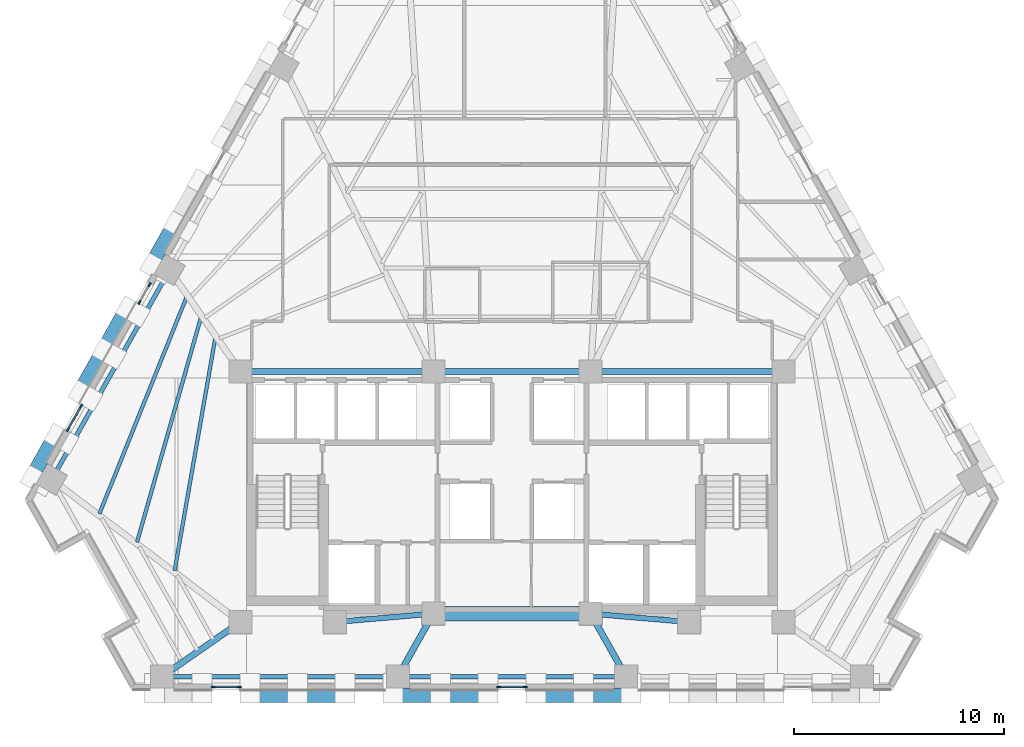
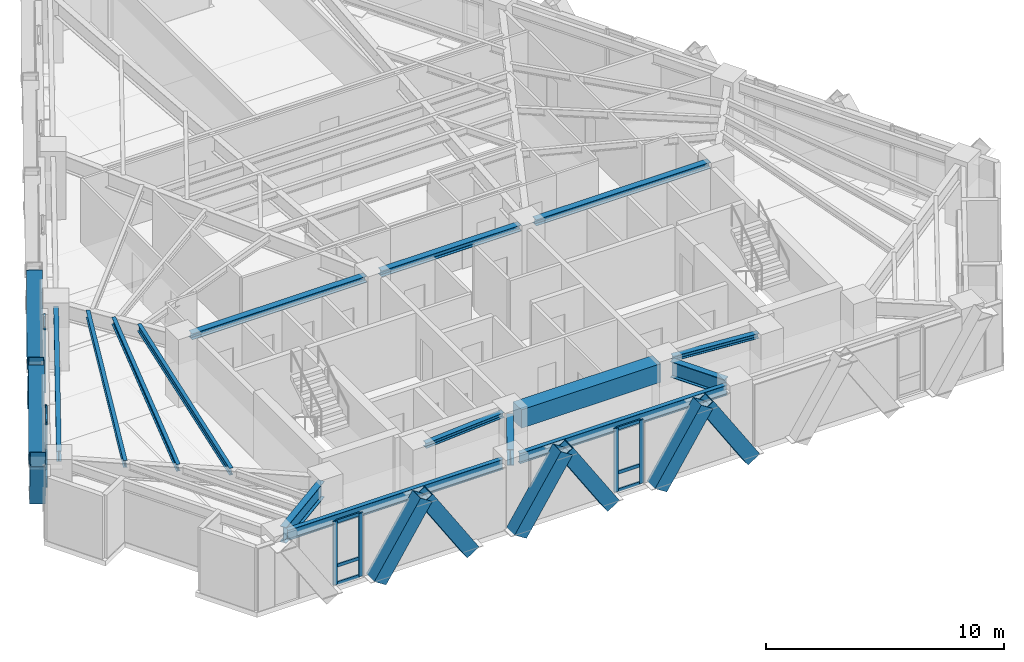
# One storey, part 2 of 13: 27 members, 15 beams, 4 elements without a shape of their own.
"""IFC4 building model written with IfcOpenShell, lengths in metres."""

from ifc_helpers import new_model, si_unit, direction, frame, origin, origin_2d, place, context, subcontext, project, spatial, rectangle, hollow_rectangle, i_section, extrude, material, material_profile, profile_set, type_object, element, aggregate, save


model = new_model("IFC4")

# Units and contexts
model_context = context("Model", 3, precision=1e-05, world=origin(), true_north=direction((0.0, 1.0)))
body_context = subcontext(model_context, "Body", "Model", "MODEL_VIEW")
ifc_project = project(units=[si_unit("LENGTHUNIT", "METRE"), si_unit("AREAUNIT", "SQUARE_METRE"), si_unit("VOLUMEUNIT", "CUBIC_METRE"), si_unit("PLANEANGLEUNIT", "RADIAN"), si_unit("MASSUNIT", "GRAM", prefix="KILO")], contexts=[model_context])

# Site, building, storey
site_placement = place(None, origin())
site = spatial("IfcSite", under=ifc_project, at=site_placement, CompositionType="ELEMENT")
building_placement = place(site_placement, origin())
building = spatial("IfcBuilding", under=site, at=building_placement, Name="Quenlor Broadcast Tower", CompositionType="ELEMENT")
storey_placement = place(building_placement, frame((0.0, 0.0, 95.0)))
storey = spatial("IfcBuildingStorey", under=building, at=storey_placement, Name="L25", CompositionType="ELEMENT", Elevation=95.0)

# Curtain wall, members
ifc_material_1 = material(Name="Architectural Terracotta and Low-E Glazing", Category="masonry")
curtain_wall_type = type_object("IfcCurtainWallType", Name="Unitised Terracotta Curtain Wall System Z2", PredefinedType="NOTDEFINED", material=ifc_material_1)
curtain_wall_1_placement = place(storey_placement, origin())
curtain_wall_1 = element("IfcCurtainWall", 1, at=curtain_wall_1_placement, inside=storey, type_object=curtain_wall_type, Name="L25 Curtain Wall CW2 (L25-SC-G1)", PredefinedType="NOTDEFINED")
ifc_material_2 = material(Name="Aluminium 6063-T6", Category="aluminium")
ifc_material_profile_1 = material_profile(ifc_material_2, rectangle(XDim=0.074951171875, YDim=0.199951171875, at=origin_2d()))
ifc_profile_set_1 = profile_set([ifc_material_profile_1], Name="Aluminium 6063-T6 MULL75x200")
member_type_1 = type_object("IfcMemberType", Name="CW2 Aluminium Mullion MULL_CW2", PredefinedType="MULLION", material=ifc_profile_set_1)
member_1_placement = place(storey_placement, frame((-13.01611328125, -19.840087890625, 0.0), z_axis=(0.0, 0.0, 1.0), x_axis=(0.0, -1.0, 0.0)))
member_1 = element("IfcMember", 2, at=member_1_placement, type_object=member_type_1, Name="CW2 mullion 1", PredefinedType="MULLION", context=body_context, shape_type="SweptSolid", body=[
    extrude(rectangle(XDim=0.074951171875, YDim=0.199951171875, at=origin_2d()), origin(), (0.0, 0.0, 1.0), 3.25),
])
member_2_placement = place(storey_placement, frame((-14.254150390625, -19.840087890625, 0.0), z_axis=(0.0, 0.0, 1.0), x_axis=(0.0, -1.0, 0.0)))
member_2 = element("IfcMember", 3, at=member_2_placement, type_object=member_type_1, Name="CW2 mullion 2", PredefinedType="MULLION", context=body_context, shape_type="SweptSolid", body=[
    extrude(rectangle(XDim=0.074951171875, YDim=0.199951171875, at=origin_2d()), origin(), (0.0, 0.0, 1.0), 3.25),
])

curtain_wall_2_placement = place(storey_placement, origin())
curtain_wall_2 = element("IfcCurtainWall", 4, at=curtain_wall_2_placement, inside=storey, type_object=curtain_wall_type, Name="L25 Curtain Wall CW2 (L25-S-G1)", PredefinedType="NOTDEFINED")
member_3_placement = place(storey_placement, frame((0.618896484375, -19.840087890625, 0.0), z_axis=(0.0, 0.0, 1.0), x_axis=(0.0, -1.0, 0.0)))
member_3 = element("IfcMember", 5, at=member_3_placement, type_object=member_type_1, Name="CW2 mullion 1", PredefinedType="MULLION", context=body_context, shape_type="SweptSolid", body=[
    extrude(rectangle(XDim=0.074951171875, YDim=0.199951171875, at=origin_2d()), origin(), (0.0, 0.0, 1.0), 3.25),
])
member_4_placement = place(storey_placement, frame((-0.618896484375, -19.840087890625, 0.0), z_axis=(0.0, 0.0, 1.0), x_axis=(0.0, -1.0, 0.0)))
member_4 = element("IfcMember", 6, at=member_4_placement, type_object=member_type_1, Name="CW2 mullion 2", PredefinedType="MULLION", context=body_context, shape_type="SweptSolid", body=[
    extrude(rectangle(XDim=0.074951171875, YDim=0.199951171875, at=origin_2d()), origin(), (0.0, 0.0, 1.0), 3.25),
])

curtain_wall_3_placement = place(storey_placement, origin())
curtain_wall_3 = element("IfcCurtainWall", 7, at=curtain_wall_3_placement, inside=storey, type_object=curtain_wall_type, Name="L25 Curtain Wall CW2 (L25-NWA-G1)", PredefinedType="NOTDEFINED")
member_5_placement = place(storey_placement, frame((-21.177734375, -7.57568359375, 0.0), z_axis=(0.0, 0.0, 1.0), x_axis=(-0.871565749621, 0.490278639232, 0.0)))
member_5 = element("IfcMember", 8, at=member_5_placement, type_object=member_type_1, Name="CW2 mullion 1", PredefinedType="MULLION", context=body_context, shape_type="SweptSolid", body=[
    extrude(rectangle(XDim=0.074951171875, YDim=0.199951171875, at=origin_2d()), origin(), (0.0, 0.0, 1.0), 3.25),
])
member_6_placement = place(storey_placement, frame((-20.545654296875, -6.451904296875, 0.0), z_axis=(0.0, 0.0, 1.0), x_axis=(-0.871565749621, 0.490278639232, 0.0)))
member_6 = element("IfcMember", 9, at=member_6_placement, type_object=member_type_1, Name="CW2 mullion 2", PredefinedType="MULLION", context=body_context, shape_type="SweptSolid", body=[
    extrude(rectangle(XDim=0.074951171875, YDim=0.199951171875, at=origin_2d()), origin(), (0.0, 0.0, 1.0), 3.25),
])

curtain_wall_4_placement = place(storey_placement, origin())
curtain_wall_4 = element("IfcCurtainWall", 10, at=curtain_wall_4_placement, inside=storey, type_object=curtain_wall_type, Name="L25 Curtain Wall CW2 (L25-NWA-G2)", PredefinedType="NOTDEFINED")
member_7_placement = place(storey_placement, frame((-17.7646484375, -1.508056640625, 0.0), z_axis=(0.0, 0.0, 1.0), x_axis=(-0.871580587336, 0.490252261371, 0.0)))
member_7 = element("IfcMember", 11, at=member_7_placement, type_object=member_type_1, Name="CW2 mullion 1", PredefinedType="MULLION", context=body_context, shape_type="SweptSolid", body=[
    extrude(rectangle(XDim=0.074951171875, YDim=0.199951171875, at=origin_2d()), origin(), (0.0, 0.0, 1.0), 3.25),
])
member_8_placement = place(storey_placement, frame((-17.282958984375, -0.651611328125, 0.0), z_axis=(0.0, 0.0, 1.0), x_axis=(-0.871580587336, 0.490252261371, 0.0)))
member_8 = element("IfcMember", 12, at=member_8_placement, type_object=member_type_1, Name="CW2 mullion 2", PredefinedType="MULLION", context=body_context, shape_type="SweptSolid", body=[
    extrude(rectangle(XDim=0.074951171875, YDim=0.199951171875, at=origin_2d()), origin(), (0.0, 0.0, 1.0), 3.25),
])
aggregate(curtain_wall_4, [member_7, member_8])

# Member
ifc_material_3 = material(Name="Aluminium 6063-T6", Category="aluminium")
ifc_material_profile_2 = material_profile(ifc_material_3, rectangle(XDim=0.074951171875, YDim=0.1650390625, at=origin_2d()))
ifc_profile_set_2 = profile_set([ifc_material_profile_2], Name="Aluminium 6063-T6 TRAN75x165")
member_type_2 = type_object("IfcMemberType", Name="CW2 Aluminium Transom TRAN_CW2", PredefinedType="USERDEFINED", material=ifc_profile_set_2)
member_9_placement = place(storey_placement, frame((-13.0537109375, -19.840087890625, 0.03759765625), z_axis=(-1.0, 0.0, 0.0), x_axis=(0.0, -1.0, 0.0)))
member_9 = element("IfcMember", 13, at=member_9_placement, type_object=member_type_2, Name="CW2 transom 1.1", ObjectType="TRANSOM", PredefinedType="USERDEFINED", context=body_context, shape_type="SweptSolid", body=[
    extrude(rectangle(XDim=0.074951171875, YDim=0.1650390625, at=origin_2d()), origin(), (0.0, 0.0, 1.0), 1.1630859375),
])

member_10_placement = place(storey_placement, frame((-13.0537109375, -19.840087890625, 0.949951171875), z_axis=(-1.0, 0.0, 0.0), x_axis=(0.0, -1.0, 0.0)))
member_10 = element("IfcMember", 14, at=member_10_placement, type_object=member_type_2, Name="CW2 transom 1.2", ObjectType="TRANSOM", PredefinedType="USERDEFINED", context=body_context, shape_type="SweptSolid", body=[
    extrude(rectangle(XDim=0.074951171875, YDim=0.1650390625, at=origin_2d()), origin(), (0.0, 0.0, 1.0), 1.1630859375),
])

member_11_placement = place(storey_placement, frame((-13.0537109375, -19.840087890625, 3.21240234375), z_axis=(-1.0, 0.0, 0.0), x_axis=(0.0, -1.0, 0.0)))
member_11 = element("IfcMember", 15, at=member_11_placement, type_object=member_type_2, Name="CW2 transom 1.3", ObjectType="TRANSOM", PredefinedType="USERDEFINED", context=body_context, shape_type="SweptSolid", body=[
    extrude(rectangle(XDim=0.074951171875, YDim=0.1650390625, at=origin_2d()), origin(), (0.0, 0.0, 1.0), 1.1630859375),
])

aggregate(curtain_wall_1, [member_1, member_2, member_9, member_10, member_11])

member_12_placement = place(storey_placement, frame((0.58154296875, -19.840087890625, 0.03759765625), z_axis=(-1.0, 0.0, 0.0), x_axis=(0.0, -1.0, 0.0)))
member_12 = element("IfcMember", 16, at=member_12_placement, type_object=member_type_2, Name="CW2 transom 1.1", ObjectType="TRANSOM", PredefinedType="USERDEFINED", context=body_context, shape_type="SweptSolid", body=[
    extrude(rectangle(XDim=0.074951171875, YDim=0.1650390625, at=origin_2d()), origin(), (0.0, 0.0, 1.0), 1.1630859375),
])

member_13_placement = place(storey_placement, frame((0.58154296875, -19.840087890625, 0.949951171875), z_axis=(-1.0, 0.0, 0.0), x_axis=(0.0, -1.0, 0.0)))
member_13 = element("IfcMember", 17, at=member_13_placement, type_object=member_type_2, Name="CW2 transom 1.2", ObjectType="TRANSOM", PredefinedType="USERDEFINED", context=body_context, shape_type="SweptSolid", body=[
    extrude(rectangle(XDim=0.074951171875, YDim=0.1650390625, at=origin_2d()), origin(), (0.0, 0.0, 1.0), 1.1630859375),
])

member_14_placement = place(storey_placement, frame((0.58154296875, -19.840087890625, 3.21240234375), z_axis=(-1.0, 0.0, 0.0), x_axis=(0.0, -1.0, 0.0)))
member_14 = element("IfcMember", 18, at=member_14_placement, type_object=member_type_2, Name="CW2 transom 1.3", ObjectType="TRANSOM", PredefinedType="USERDEFINED", context=body_context, shape_type="SweptSolid", body=[
    extrude(rectangle(XDim=0.074951171875, YDim=0.1650390625, at=origin_2d()), origin(), (0.0, 0.0, 1.0), 1.1630859375),
])

aggregate(curtain_wall_2, [member_3, member_4, member_12, member_13, member_14])

member_15_placement = place(storey_placement, frame((-21.159423828125, -7.54296875, 0.03759765625), z_axis=(0.490347143438, 0.871527210661, 0.0), x_axis=(-0.871527210661, 0.490347143438, 0.0)))
member_15 = element("IfcMember", 19, at=member_15_placement, type_object=member_type_2, Name="CW2 transom 1.1", ObjectType="TRANSOM", PredefinedType="USERDEFINED", context=body_context, shape_type="SweptSolid", body=[
    extrude(rectangle(XDim=0.074951171875, YDim=0.1650390625, at=origin_2d()), origin(), (0.0, 0.0, 1.0), 1.21435546875),
])

member_16_placement = place(storey_placement, frame((-21.159423828125, -7.54296875, 0.949951171875), z_axis=(0.490347143438, 0.871527210661, 0.0), x_axis=(-0.871527210661, 0.490347143438, 0.0)))
member_16 = element("IfcMember", 20, at=member_16_placement, type_object=member_type_2, Name="CW2 transom 1.2", ObjectType="TRANSOM", PredefinedType="USERDEFINED", context=body_context, shape_type="SweptSolid", body=[
    extrude(rectangle(XDim=0.074951171875, YDim=0.1650390625, at=origin_2d()), origin(), (0.0, 0.0, 1.0), 1.21435546875),
])

member_17_placement = place(storey_placement, frame((-21.159423828125, -7.54296875, 3.21240234375), z_axis=(0.490347143438, 0.871527210661, 0.0), x_axis=(-0.871527210661, 0.490347143438, 0.0)))
member_17 = element("IfcMember", 21, at=member_17_placement, type_object=member_type_2, Name="CW2 transom 1.3", ObjectType="TRANSOM", PredefinedType="USERDEFINED", context=body_context, shape_type="SweptSolid", body=[
    extrude(rectangle(XDim=0.074951171875, YDim=0.1650390625, at=origin_2d()), origin(), (0.0, 0.0, 1.0), 1.21435546875),
])

aggregate(curtain_wall_3, [member_5, member_6, member_15, member_16, member_17])

# Beams
ifc_material_4 = material(Name="Concrete C50/60", Category="concrete")
ifc_material_profile_3 = material_profile(ifc_material_4, rectangle(XDim=0.699951171875, YDim=0.949951171875, at=origin_2d()))
ifc_profile_set_3 = profile_set([ifc_material_profile_3], Name="Concrete C50/60 RCB700x950")
beam_type_1 = type_object("IfcBeamType", Name="Core Coupling Beam Concrete C50/60 700x950", PredefinedType="BEAM", material=ifc_profile_set_3)
beam_1_placement = place(storey_placement, frame((-3.389892578125, -16.35009765625, 2.77490234375), z_axis=(1.0, 0.0, 0.0), x_axis=(0.0, 1.0, 0.0)))
element("IfcBeam", 22, at=beam_1_placement, inside=storey, type_object=beam_type_1, Name="L25 Core Coupling Beam 6", PredefinedType="BEAM", context=body_context, shape_type="SweptSolid", body=[
    extrude(rectangle(XDim=0.699951171875, YDim=0.949951171875, at=origin_2d()), origin(), (0.0, 0.0, 1.0), 6.77978515625),
])
ifc_material_5 = material(Name="Steel S355", Category="steel")
ifc_material_profile_4 = material_profile(ifc_material_5, i_section(OverallWidth=0.304931640625, OverallDepth=0.30810546875, WebThickness=0.010009765625, FlangeThickness=0.015380859375, FilletRadius=0.0166015625, at=origin_2d()))
ifc_profile_set_4 = profile_set([ifc_material_profile_4], Name="Steel S355 310UC96.8")
beam_type_2 = type_object("IfcBeamType", Name="Core Header Beam Steel S355 310UC96.8", PredefinedType="BEAM", material=ifc_profile_set_4)
beam_2_placement = place(storey_placement, frame((-3.389892578125, -4.800048828125, 3.095947265625), z_axis=(1.0, 0.0, 0.0), x_axis=(0.0, 1.0, 0.0)))
element("IfcBeam", 23, at=beam_2_placement, inside=storey, type_object=beam_type_2, Name="L25 Core Header Beam 2", PredefinedType="BEAM", context=body_context, shape_type="SweptSolid", body=[
    extrude(i_section(OverallWidth=0.304931640625, OverallDepth=0.30810546875, WebThickness=0.010009765625, FlangeThickness=0.015380859375, FilletRadius=0.0166015625, at=origin_2d()), origin(), (0.0, 0.0, 1.0), 6.77978515625),
])
ifc_material_6 = material(Name="Steel S355", Category="steel")
ifc_material_profile_5 = material_profile(ifc_material_6, i_section(OverallWidth=0.25390625, OverallDepth=0.25390625, WebThickness=0.008544921875, FlangeThickness=0.01416015625, FilletRadius=0.013916015625, at=origin_2d()))
ifc_profile_set_5 = profile_set([ifc_material_profile_5], Name="Steel S355 250UC72.9")
beam_type_3 = type_object("IfcBeamType", Name="Core Opening Lintel Beam Steel S355 250UC72.9", PredefinedType="LINTEL", material=ifc_profile_set_5)
for number, where, z_axis, x_axis, name in (
    (24, (-8.09130859375, -16.719482421875, 3.123046875), (0.996399763903, 0.084779186679, 0.0), (-0.084779186679, 0.996399763903, 0.0), "L25 Core Opening Lintel Beam 4"),
    (25, (4.108642578125, -16.380615234375, 3.123046875), (0.996399763903, -0.084779186679, 0.0), (0.084779186679, 0.996399763903, 0.0), "L25 Core Opening Lintel Beam 5"),
):
    element("IfcBeam", number, at=place(storey_placement, frame(where, z_axis=z_axis, x_axis=x_axis)), inside=storey, type_object=beam_type_3, Name=name, PredefinedType="LINTEL", context=body_context, shape_type="SweptSolid", body=[
        extrude(i_section(OverallWidth=0.25390625, OverallDepth=0.25390625, WebThickness=0.008544921875, FlangeThickness=0.01416015625, FilletRadius=0.013916015625, at=origin_2d()), origin(), (0.0, 0.0, 1.0), 3.9970703125),
    ])
ifc_material_7 = material(Name="Steel S355", Category="steel")
ifc_material_profile_6 = material_profile(ifc_material_7, i_section(OverallWidth=0.306884765625, OverallDepth=0.314697265625, WebThickness=0.011962890625, FlangeThickness=0.018798828125, FilletRadius=0.0166015625, at=origin_2d()))
ifc_profile_set_6 = profile_set([ifc_material_profile_6], Name="Steel S355 310UC118")
beam_type_4 = type_object("IfcBeamType", Name="Core Tie Beam Steel S355 310UC118", PredefinedType="BEAM", material=ifc_profile_set_6)
for number, where, z_axis, x_axis, name in (
    (26, (-12.590087890625, -4.800048828125, 3.0927734375), (1.0, 0.0, 0.0), (0.0, 1.0, 0.0), "L25 Core Tie Beam 1"),
    (27, (4.110107421875, -4.800048828125, 3.0927734375), (1.0, 0.0, 0.0), (0.0, 1.0, 0.0), "L25 Core Tie Beam 3"),
):
    element("IfcBeam", number, at=place(storey_placement, frame(where, z_axis=z_axis, x_axis=x_axis)), inside=storey, type_object=beam_type_4, Name=name, PredefinedType="BEAM", context=body_context, shape_type="SweptSolid", body=[
        extrude(i_section(OverallWidth=0.306884765625, OverallDepth=0.314697265625, WebThickness=0.011962890625, FlangeThickness=0.018798828125, FilletRadius=0.0166015625, at=origin_2d()), origin(), (0.0, 0.0, 1.0), 8.47998046875),
    ])

# Members
ifc_material_8 = material(Name="Steel S355", Category="steel")
ifc_material_profile_7 = material_profile(ifc_material_8, hollow_rectangle(XDim=0.679931640625, YDim=0.679931640625, WallThickness=0.030029296875, at=origin_2d()))
ifc_profile_set_7 = profile_set([ifc_material_profile_7], Name="Steel S355 RHS680x680x30")
member_type_3 = type_object("IfcMemberType", Name="Perimeter Diagonal Lattice Brace Z2 Steel S355 RHS680x30", PredefinedType="BRACE", material=ifc_profile_set_7)
for number, where, z_axis, x_axis, name in (
    (28, (5.667724609375, -20.235107421875, -0.1201171875), (-0.539968035679, 0.0, 0.841685523485), (0.0, -1.0, 0.0), "L25 Perimeter Diamond Lattice S-C2S"),
    (29, (-1.14990234375, -20.235107421875, -0.1201171875), (-0.539968035679, 0.0, 0.841685523485), (0.0, -1.0, 0.0), "L25 Perimeter Diamond Lattice S-C3S"),
    (30, (1.14990234375, -20.235107421875, -0.1201171875), (0.539968035679, 0.0, 0.841685523485), (0.0, 1.0, 0.0), "L25 Perimeter Diamond Lattice S-C3B"),
    (31, (-7.967529296875, -20.235107421875, -0.1201171875), (-0.539968035679, 0.0, 0.841685523485), (0.0, -1.0, 0.0), "L25 Perimeter Diamond Lattice S-C4S"),
    (32, (-5.667724609375, -20.235107421875, -0.1201171875), (0.539968035679, 0.0, 0.841685523485), (0.0, 1.0, 0.0), "L25 Perimeter Diamond Lattice S-C4B"),
    (33, (-12.4853515625, -20.235107421875, -0.1201171875), (0.539968035679, 0.0, 0.841685523485), (0.0, 1.0, 0.0), "L25 Perimeter Diamond Lattice S-C5B"),
):
    element("IfcMember", number, at=place(storey_placement, frame(where, z_axis=z_axis, x_axis=x_axis)), inside=storey, type_object=member_type_3, Name=name, PredefinedType="BRACE", context=body_context, shape_type="SweptSolid", body=[
        extrude(hollow_rectangle(XDim=0.679931640625, YDim=0.679931640625, WallThickness=0.030029296875, at=origin_2d()), origin(), (0.0, 0.0, 1.0), 4.158203125),
    ])
for number, where, z_axis, x_axis, name in (
    (34, (-20.63037109375, -5.796630859375, -0.1201171875), (0.268696511206, 0.477585438485, 0.836489290913), (-0.871532878923, 0.490337068716, 0.0), "L25 Perimeter Diamond Lattice NW-C1S"),
    (35, (-21.781494140625, -7.843505859375, -0.1201171875), (-0.268696511206, -0.477585438485, 0.836489290913), (0.871532878923, -0.490337068716, 0.0), "L25 Perimeter Diamond Lattice NW-C1B"),
    (36, (-17.21728515625, 0.27099609375, -0.1201171875), (0.268696511206, 0.477585438485, 0.836489290913), (-0.871532878923, 0.490337068716, 0.0), "L25 Perimeter Diamond Lattice NW-C2S"),
    (37, (-18.368408203125, -1.77587890625, -0.1201171875), (-0.268696511206, -0.477585438485, 0.836489290913), (0.871532878923, -0.490337068716, 0.0), "L25 Perimeter Diamond Lattice NW-C2B"),
):
    element("IfcMember", number, at=place(storey_placement, frame(where, z_axis=z_axis, x_axis=x_axis)), inside=storey, type_object=member_type_3, Name=name, PredefinedType="BRACE", context=body_context, shape_type="SweptSolid", body=[
        extrude(hollow_rectangle(XDim=0.679931640625, YDim=0.679931640625, WallThickness=0.030029296875, at=origin_2d()), origin(), (0.0, 0.0, 1.0), 4.18408203125),
    ])

# Beams
ifc_material_9 = material(Name="Steel S355", Category="steel")
ifc_material_profile_8 = material_profile(ifc_material_9, i_section(OverallWidth=0.208984375, OverallDepth=0.5283203125, WebThickness=0.009521484375, FlangeThickness=0.01318359375, FilletRadius=0.013916015625, at=origin_2d()))
ifc_profile_set_8 = profile_set([ifc_material_profile_8], Name="Steel S355 530UB82.0")
beam_type_5 = type_object("IfcBeamType", Name="Perimeter Spandrel Beam Z2 Steel S355 530UB82.0", PredefinedType="SPANDREL", material=ifc_profile_set_8)
beam_3_placement = place(storey_placement, frame((-16.282470703125, -19.35009765625, 2.98583984375), z_axis=(1.0, 0.0, 0.0), x_axis=(0.0, 1.0, 0.0)))
element("IfcBeam", 38, at=beam_3_placement, inside=storey, type_object=beam_type_5, Name="L25 Spandrel Beam S1-S2", PredefinedType="SPANDREL", context=body_context, shape_type="SweptSolid", body=[
    extrude(i_section(OverallWidth=0.208984375, OverallDepth=0.5283203125, WebThickness=0.009521484375, FlangeThickness=0.01318359375, FilletRadius=0.013916015625, at=origin_2d()), origin(), (0.0, 0.0, 1.0), 10.42919921875),
])
beam_4_placement = place(storey_placement, frame((-5.033203125, -19.35009765625, 2.98583984375), z_axis=(1.0, 0.0, 0.0), x_axis=(0.0, 1.0, 0.0)))
element("IfcBeam", 39, at=beam_4_placement, inside=storey, type_object=beam_type_5, Name="L25 Spandrel Beam S2-S3", PredefinedType="SPANDREL", context=body_context, shape_type="SweptSolid", body=[
    extrude(i_section(OverallWidth=0.208984375, OverallDepth=0.5283203125, WebThickness=0.009521484375, FlangeThickness=0.01318359375, FilletRadius=0.013916015625, at=origin_2d()), origin(), (0.0, 0.0, 1.0), 10.06640625),
])
beam_5_placement = place(storey_placement, frame((-16.531005859375, -0.314453125, 2.98583984375), z_axis=(-0.490263415828, -0.871574313011, 0.0), x_axis=(0.871574313011, -0.490263415828, 0.0)))
element("IfcBeam", 40, at=beam_5_placement, inside=storey, type_object=beam_type_5, Name="L25 Spandrel Beam NW3-NW4", PredefinedType="SPANDREL", context=body_context, shape_type="SweptSolid", body=[
    extrude(i_section(OverallWidth=0.208984375, OverallDepth=0.5283203125, WebThickness=0.009521484375, FlangeThickness=0.01318359375, FilletRadius=0.013916015625, at=origin_2d()), origin(), (0.0, 0.0, 1.0), 10.65283203125),
])
ifc_material_10 = material(Name="Steel S355", Category="steel")
ifc_material_profile_9 = material_profile(ifc_material_10, i_section(OverallWidth=0.300048828125, OverallDepth=0.81591796875, WebThickness=0.013916015625, FlangeThickness=0.028076171875, FilletRadius=0.013916015625, at=origin_2d()))
ifc_profile_set_9 = profile_set([ifc_material_profile_9], Name="Steel S355 800WB192")
beam_type_6 = type_object("IfcBeamType", Name="Sky Lobby Primary Girder Steel S355 800WB192", PredefinedType="BEAM", material=ifc_profile_set_9)
beam_6_placement = place(storey_placement, frame((-16.355712890625, -19.1162109375, 2.842041015625), z_axis=(0.821227395059, 0.570601056436, 0.0), x_axis=(-0.570601056436, 0.821227395059, 0.0)))
element("IfcBeam", 41, at=beam_6_placement, inside=storey, type_object=beam_type_6, Name="L25 Primary Radial Beam S1", PredefinedType="BEAM", context=body_context, shape_type="SweptSolid", body=[
    extrude(i_section(OverallWidth=0.300048828125, OverallDepth=0.81591796875, WebThickness=0.013916015625, FlangeThickness=0.028076171875, FilletRadius=0.013916015625, at=origin_2d()), origin(), (0.0, 0.0, 1.0), 3.766845703125),
])
for number, where, z_axis, x_axis, name in (
    (42, (-5.24169921875, -18.992919921875, 2.842041015625), (0.491526879548, 0.870862403989, 0.0), (-0.870862403989, 0.491526879548, 0.0), "L25 Primary Radial Beam S2"),
    (43, (5.24169921875, -18.992919921875, 2.842041015625), (-0.491526879548, 0.870862403989, 0.0), (-0.870862403989, -0.491526879548, 0.0), "L25 Primary Radial Beam S3"),
):
    element("IfcBeam", number, at=place(storey_placement, frame(where, z_axis=z_axis, x_axis=x_axis)), inside=storey, type_object=beam_type_6, Name=name, PredefinedType="BEAM", context=body_context, shape_type="SweptSolid", body=[
        extrude(i_section(OverallWidth=0.300048828125, OverallDepth=0.81591796875, WebThickness=0.013916015625, FlangeThickness=0.028076171875, FilletRadius=0.013916015625, at=origin_2d()), origin(), (0.0, 0.0, 1.0), 2.65478515625),
    ])
ifc_material_11 = material(Name="Steel S355", Category="steel")
ifc_material_profile_10 = material_profile(ifc_material_11, i_section(OverallWidth=0.172119140625, OverallDepth=0.358642578125, WebThickness=0.008056640625, FlangeThickness=0.012939453125, FilletRadius=0.011474609375, at=origin_2d()))
ifc_profile_set_10 = profile_set([ifc_material_profile_10], Name="Steel S355 360UB56.7")
beam_type_7 = type_object("IfcBeamType", Name="Tower Composite Joist Z2-Z3 Steel S355 360UB56.7", PredefinedType="JOIST", material=ifc_profile_set_10)
beam_7_placement = place(storey_placement, frame((-16.087890625, -14.29345703125, 3.07080078125), z_axis=(0.172120396521, 0.985075920476, 0.0), x_axis=(-0.985075920476, 0.172120396521, 0.0)))
element("IfcBeam", 44, at=beam_7_placement, inside=storey, type_object=beam_type_7, Name="L25 Secondary Composite Joist 13", PredefinedType="JOIST", context=body_context, shape_type="SweptSolid", body=[
    extrude(i_section(OverallWidth=0.172119140625, OverallDepth=0.358642578125, WebThickness=0.008056640625, FlangeThickness=0.012939453125, FilletRadius=0.011474609375, at=origin_2d()), origin(), (0.0, 0.0, 1.0), 11.27783203125),
])
beam_8_placement = place(storey_placement, frame((-17.880615234375, -12.9365234375, 3.07080078125), z_axis=(0.273563993601, 0.96185380459, 0.0), x_axis=(-0.96185380459, 0.273563993601, 0.0)))
element("IfcBeam", 45, at=beam_8_placement, inside=storey, type_object=beam_type_7, Name="L25 Secondary Composite Joist 14", PredefinedType="JOIST", context=body_context, shape_type="SweptSolid", body=[
    extrude(i_section(OverallWidth=0.172119140625, OverallDepth=0.358642578125, WebThickness=0.008056640625, FlangeThickness=0.012939453125, FilletRadius=0.011474609375, at=origin_2d()), origin(), (0.0, 0.0, 1.0), 11.1484375),
])
beam_9_placement = place(storey_placement, frame((-19.673583984375, -11.580810546875, 3.07080078125), z_axis=(0.373180395983, 0.92775880058, 0.0), x_axis=(-0.92775880058, 0.373180395983, 0.0)))
element("IfcBeam", 46, at=beam_9_placement, inside=storey, type_object=beam_type_7, Name="L25 Secondary Composite Joist 15", PredefinedType="JOIST", context=body_context, shape_type="SweptSolid", body=[
    extrude(i_section(OverallWidth=0.172119140625, OverallDepth=0.358642578125, WebThickness=0.008056640625, FlangeThickness=0.012939453125, FilletRadius=0.011474609375, at=origin_2d()), origin(), (0.0, 0.0, 1.0), 11.143798828125),
])

save(model, "model.ifc")
